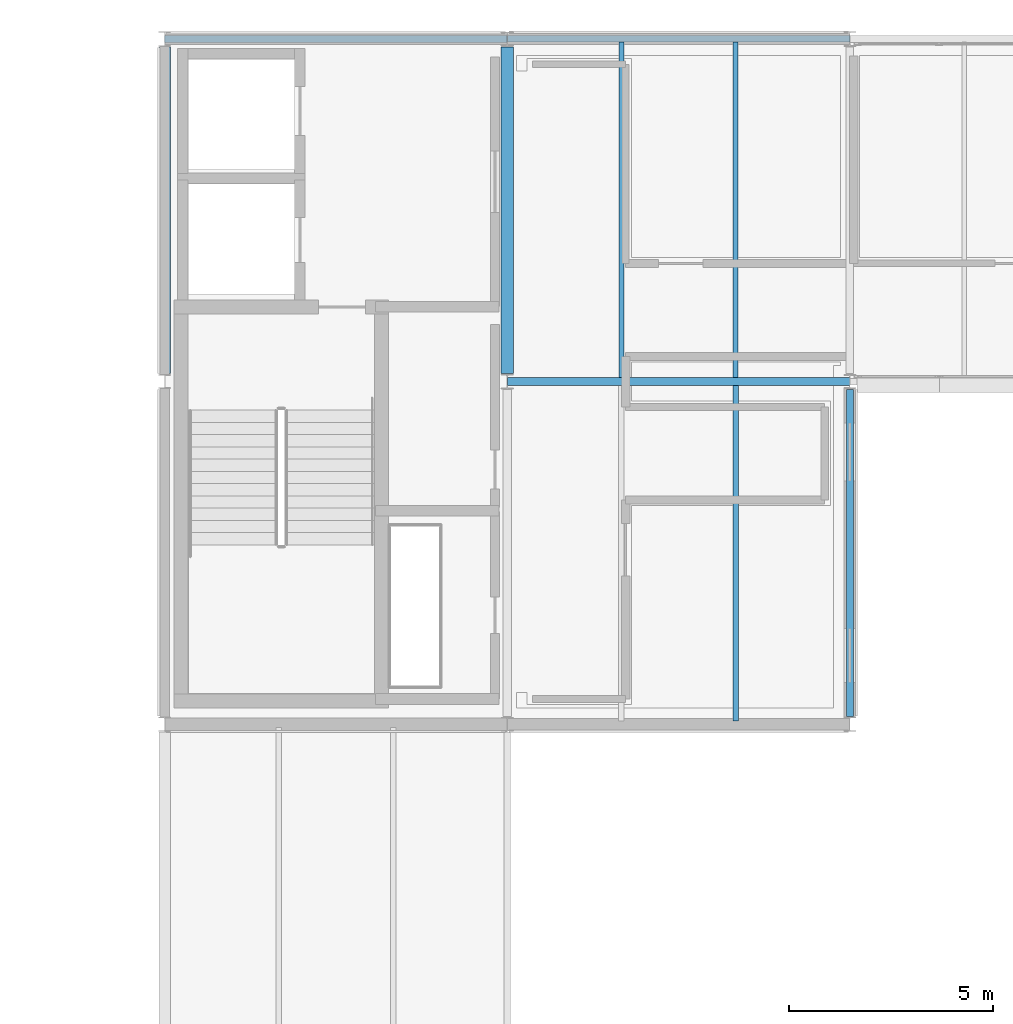
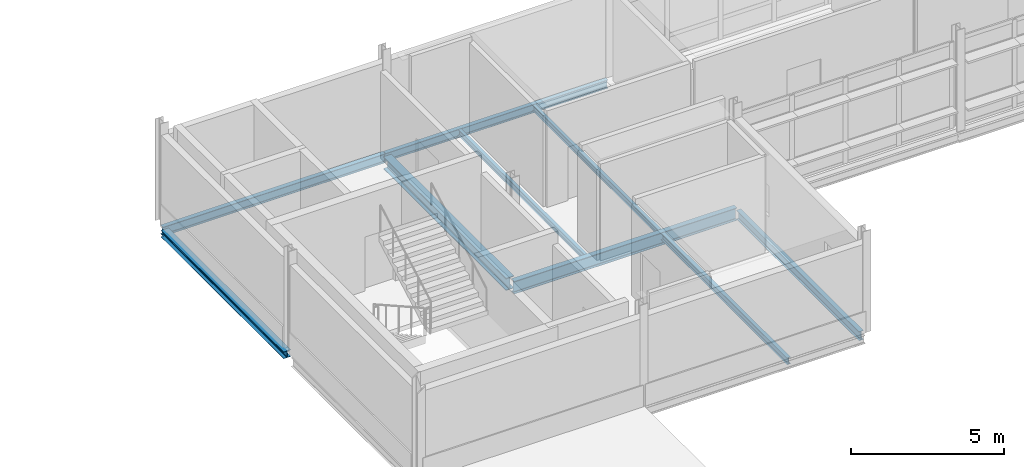
# One storey, part 8 of 66: 9 beams.
"""IFC4 building model written with IfcOpenShell, lengths in metres."""

import ifcopenshell
import ifcopenshell.guid

model = None  # the IFC model being written
_history = None  # IfcOwnerHistory: only IFC2X3 demands one
_inside = {}  # id of a spatial element -> (the spatial element, [elements in it])
_under = {}  # id of a project, library or spatial element -> (it, [spatial elements below it])
_declared = {}  # id of a project -> (the project, [libraries it declares])
_typed = {}  # id of a type object -> (the type object, [elements of that type])
_made_of = {}  # id of a material, layer set ... -> (it, [elements and type objects made of it])


def new_model(schema):
    """Start an empty IFC model of exactly this schema.

    Asked for "IFC4X3", IfcOpenShell would pick the latest addendum, in which some entities
    have other attributes; the version numbers below select the first issue.
    IFC2X3 requires an IfcOwnerHistory on every rooted entity: one is made here for all.
    """
    global model, _history
    if schema == "IFC4X3":
        model = ifcopenshell.file(schema_version=(4, 3, 0, 0))
    else:
        model = ifcopenshell.file(schema=schema)
    _inside.clear()
    _under.clear()
    _declared.clear()
    _typed.clear()
    _made_of.clear()
    _history = None
    if model.schema == "IFC2X3":
        org = make("IfcOrganization", Name="unknown")
        user = make(
            "IfcPersonAndOrganization",
            ThePerson=make("IfcPerson", FamilyName="unknown"),
            TheOrganization=org,
        )
        app = make(
            "IfcApplication",
            ApplicationDeveloper=org,
            Version="unknown",
            ApplicationFullName="unknown",
            ApplicationIdentifier="unknown",
        )
        _history = make(
            "IfcOwnerHistory",
            OwningUser=user,
            OwningApplication=app,
            ChangeAction="ADDED",
            CreationDate=0,
        )
    return model


def make(cls, **values):
    """One entity of the class cls with the attributes given. An attribute that is None is left unset."""
    return model.create_entity(
        cls, **{name: value for name, value in values.items() if value is not None}
    )


def rooted(cls, **values):
    """An entity with a GlobalId (a new one), such as an element, a storey or a relation."""
    return make(cls, GlobalId=ifcopenshell.guid.new(), OwnerHistory=_history, **values)


def si_unit(unit_type, name, prefix=None):
    """IfcSIUnit, for example si_unit("LENGTHUNIT", "METRE", prefix="MILLI")."""
    return make("IfcSIUnit", UnitType=unit_type, Prefix=prefix, Name=name)


def assignment(units):
    """IfcUnitAssignment: the units of a project."""
    return None if units is None else make("IfcUnitAssignment", Units=units)


def point(xyz):
    """IfcCartesianPoint."""
    return None if xyz is None else make("IfcCartesianPoint", Coordinates=xyz)


def direction(xyz):
    """IfcDirection."""
    return None if xyz is None else make("IfcDirection", DirectionRatios=xyz)


def frame(location, z_axis=None, x_axis=None):
    """IfcAxis2Placement3D, a coordinate frame: its origin and axes. An axis left out is left unset."""
    return make(
        "IfcAxis2Placement3D",
        Location=point(location),
        Axis=direction(z_axis),
        RefDirection=direction(x_axis),
    )


def frame_2d(location, x_axis=None):
    """IfcAxis2Placement2D, a coordinate frame in the plane: its origin and x axis."""
    return make(
        "IfcAxis2Placement2D", Location=point(location), RefDirection=direction(x_axis)
    )


def origin():
    """The frame at (0, 0, 0) with its axes left unset."""
    return frame((0.0, 0.0, 0.0))


def origin_2d():
    """The frame at (0, 0) in the plane with its x axis left unset."""
    return frame_2d((0.0, 0.0))


def place(relative_to, where):
    """IfcLocalPlacement: puts the frame where relative to a parent placement (None: the world)."""
    return make(
        "IfcLocalPlacement", PlacementRelTo=relative_to, RelativePlacement=where
    )


def context(
    kind, dimensions, precision=None, world=None, true_north=None, identifier=None
):
    """IfcGeometricRepresentationContext, for example the 3D "Model" context."""
    return make(
        "IfcGeometricRepresentationContext",
        ContextIdentifier=identifier,
        ContextType=kind,
        CoordinateSpaceDimension=dimensions,
        Precision=precision,
        WorldCoordinateSystem=world,
        TrueNorth=true_north,
    )


def subcontext(parent, identifier, kind, view, scale=None):
    """IfcGeometricRepresentationSubContext, for example "Body" below "Model"."""
    return make(
        "IfcGeometricRepresentationSubContext",
        ContextIdentifier=identifier,
        ContextType=kind,
        ParentContext=parent,
        TargetScale=scale,
        TargetView=view,
    )


def project(units=None, contexts=None):
    """IfcProject with its units and contexts."""
    return rooted(
        "IfcProject",
        Name="project",
        RepresentationContexts=contexts,
        UnitsInContext=assignment(units),
    )


def spatial(cls, under=None, at=None, **own):
    """A site, building, storey or space (cls), placed at a placement, below another one or the project."""
    s = rooted(cls, ObjectPlacement=at, **own)
    if under is not None:
        _under.setdefault(under.id(), (under, []))[1].append(s)
    return s


def profile(cls, at=None, kind="AREA", **sizes):
    """A parametric profile (cls). Its sizes go by their IFC names, for example OverallWidth=200.0."""
    return make(cls, ProfileType=kind, Position=at, **sizes)


def i_section(**sizes):
    """IfcIShapeProfileDef."""
    return profile("IfcIShapeProfileDef", **sizes)


def extrude(swept, where, along, depth):
    """IfcExtrudedAreaSolid: the profile swept, set in the frame where, extruded along a direction by depth."""
    return make(
        "IfcExtrudedAreaSolid",
        SweptArea=swept,
        Position=where,
        ExtrudedDirection=direction(along),
        Depth=depth,
    )


def shape(context_of_items, identifier, shape_type, items):
    """IfcShapeRepresentation: the items that make up one representation, for example the "Body"."""
    return make(
        "IfcShapeRepresentation",
        ContextOfItems=context_of_items,
        RepresentationIdentifier=identifier,
        RepresentationType=shape_type,
        Items=items,
    )


def material(Name=None, Category=None):
    """IfcMaterial."""
    return make("IfcMaterial", Name=Name, Category=Category)


def material_profile(
    of_material, cross_section, Name=None, Category=None, Priority=None
):
    """IfcMaterialProfile: a cross section and its material."""
    return make(
        "IfcMaterialProfile",
        Name=Name,
        Material=of_material,
        Profile=cross_section,
        Priority=Priority,
        Category=Category,
    )


def profile_set(profiles, Name=None, composite=None):
    """IfcMaterialProfileSet."""
    return make(
        "IfcMaterialProfileSet",
        Name=Name,
        MaterialProfiles=profiles,
        CompositeProfile=composite,
    )


def made_of(thing, what):
    """Note that an element or type object is made of a material, layer set ...; save() writes the relation."""
    if what is not None:
        _made_of.setdefault(what.id(), (what, []))[1].append(thing)
    return thing


def type_object(cls, material=None, **own):
    """A type object (cls), such as IfcWallType, which elements share."""
    return made_of(rooted(cls, **own), material)


def element(
    cls,
    number,
    at=None,
    inside=None,
    cuts=None,
    type_object=None,
    material=None,
    context=None,
    identifier="Body",
    shape_type=None,
    held_by="IfcProductDefinitionShape",
    body=None,
    shapes=None,
    **own,
):
    """One element of the class cls, such as IfcWall. Its Tag is "e" and its number.

    at: its placement. inside: the storey or other place that contains it. cuts: it is an
    opening in that element (IfcRelVoidsElement). A single representation is given by context,
    identifier, shape_type and body (its items); several are given by shapes. held_by: the class
    of the entity that holds the representations. save() writes the other relations.
    """
    e = rooted(cls, Tag="e%d" % number, ObjectPlacement=at, **own)
    if body is not None:
        shapes = [shape(context, identifier, shape_type, body)]
    if shapes is not None:
        e.Representation = make(held_by, Representations=shapes)
    if inside is not None:
        _inside.setdefault(inside.id(), (inside, []))[1].append(e)
    if cuts is not None:
        rooted(
            "IfcRelVoidsElement", RelatingBuildingElement=cuts, RelatedOpeningElement=e
        )
    if type_object is not None:
        _typed.setdefault(type_object.id(), (type_object, []))[1].append(e)
    return made_of(e, material)


def aggregate(whole, parts):
    """IfcRelAggregates: a whole, such as a stair, and the parts it consists of."""
    return rooted("IfcRelAggregates", RelatingObject=whole, RelatedObjects=parts)


def save(model, path):
    """Write the relations noted so far, then the file.

    IfcRelAggregates (storeys below a building ...), IfcRelContainedInSpatialStructure (elements
    in a storey), IfcRelDefinesByType, IfcRelAssociatesMaterial and IfcRelDeclares: one each for
    every whole, place, type object, material and project.
    """
    for whole, parts in _under.values():
        aggregate(whole, parts)
    for where, things in _inside.values():
        rooted(
            "IfcRelContainedInSpatialStructure",
            RelatedElements=things,
            RelatingStructure=where,
        )
    for kind, things in _typed.values():
        rooted("IfcRelDefinesByType", RelatedObjects=things, RelatingType=kind)
    for what, things in _made_of.values():
        rooted("IfcRelAssociatesMaterial", RelatedObjects=things, RelatingMaterial=what)
    for by, libraries in _declared.values():
        rooted("IfcRelDeclares", RelatingContext=by, RelatedDefinitions=libraries)
    model.write(path)


model = new_model("IFC4")

# Units and contexts
model_context = context("Model", 3, precision=1e-05, world=origin(), true_north=direction((0.0, 1.0)))
body_context = subcontext(model_context, "Body", "Model", "MODEL_VIEW")
ifc_project = project(units=[si_unit("LENGTHUNIT", "METRE"), si_unit("AREAUNIT", "SQUARE_METRE"), si_unit("VOLUMEUNIT", "CUBIC_METRE"), si_unit("PLANEANGLEUNIT", "RADIAN"), si_unit("MASSUNIT", "GRAM", prefix="KILO")], contexts=[model_context])

# Site, building, storey
site_placement = place(None, origin())
site = spatial("IfcSite", under=ifc_project, at=site_placement, CompositionType="ELEMENT")
building_placement = place(site_placement, origin())
building = spatial("IfcBuilding", under=site, at=building_placement, Name="Mersafa Astral City Hall", CompositionType="ELEMENT")
storey_placement = place(building_placement, frame((0.0, 0.0, 22.050048828125)))
storey = spatial("IfcBuildingStorey", under=building, at=storey_placement, Name="L05", CompositionType="ELEMENT", Elevation=22.050048828125)

# Beams
ifc_material = material(Name="Steel S355", Category="steel")
ifc_material_profile_1 = material_profile(ifc_material, i_section(OverallWidth=0.300048828125, OverallDepth=0.489990234375, WebThickness=0.011962890625, FlangeThickness=0.02294921875, FilletRadius=0.027099609375, at=origin_2d()), Name="HEA 500")
ifc_profile_set_1 = profile_set([ifc_material_profile_1], Name="Steel S355")
beam_type_1 = type_object("IfcBeamType", Name="STR-BM-HEA500", PredefinedType="BEAM", material=ifc_profile_set_1)
beam_1_placement = place(storey_placement, frame((50.39990234375, 117.794921875, -0.425048828125), z_axis=(0.0, 1.0, 0.0), x_axis=(-1.0, 0.0, 0.0)))
element("IfcBeam", 1, at=beam_1_placement, inside=storey, type_object=beam_type_1, Name="L05 Primary girder Y 6-14", PredefinedType="BEAM", context=body_context, shape_type="SweptSolid", body=[
    extrude(i_section(OverallWidth=0.300048828125, OverallDepth=0.489990234375, WebThickness=0.011962890625, FlangeThickness=0.02294921875, FilletRadius=0.027099609375, at=origin_2d()), origin(), (0.0, 0.0, 1.0), 8.010009765625),
])
ifc_material_profile_2 = material_profile(ifc_material, i_section(OverallWidth=0.199951171875, OverallDepth=0.5, WebThickness=0.01025390625, FlangeThickness=0.01611328125, FilletRadius=0.02099609375, at=origin_2d()), Name="IPE 500")
ifc_profile_set_2 = profile_set([ifc_material_profile_2], Name="Steel S355")
beam_type_2 = type_object("IfcBeamType", Name="STR-BM-IPE500", PredefinedType="BEAM", material=ifc_profile_set_2)
beam_2_placement = place(storey_placement, frame((50.403076171875, 117.60009765625, -0.429931640625), z_axis=(1.0, 0.0, 0.0), x_axis=(0.0, 1.0, 0.0)))
element("IfcBeam", 2, at=beam_2_placement, inside=storey, type_object=beam_type_2, Name="L05 Primary girder X 6-14", PredefinedType="BEAM", context=body_context, shape_type="SweptSolid", body=[
    extrude(i_section(OverallWidth=0.199951171875, OverallDepth=0.5, WebThickness=0.01025390625, FlangeThickness=0.01611328125, FilletRadius=0.02099609375, at=origin_2d()), origin(), (0.0, 0.0, 1.0), 8.39404296875),
])
ifc_material_profile_3 = material_profile(ifc_material, i_section(OverallWidth=0.1201171875, OverallDepth=0.239990234375, WebThickness=0.006103515625, FlangeThickness=0.009765625, FilletRadius=0.014892578125, at=origin_2d()), Name="IPE 240")
ifc_profile_set_3 = profile_set([ifc_material_profile_3], Name="Steel S355")
beam_type_3 = type_object("IfcBeamType", Name="STR-BM-JOIST-IPE240", PredefinedType="JOIST", material=ifc_profile_set_3)
for number, where, z_axis, x_axis, name in (
    (3, (53.199951171875, 117.695068359375, -0.300048828125), (0.0, 1.0, 0.0), (-1.0, 0.0, 0.0), "L05 Composite secondary floor joist 787"),
    (4, (56.0, 117.695068359375, -0.300048828125), (0.0, 1.0, 0.0), (-1.0, 0.0, 0.0), "L05 Composite secondary floor joist 788"),
):
    element("IfcBeam", number, at=place(storey_placement, frame(where, z_axis=z_axis, x_axis=x_axis)), inside=storey, type_object=beam_type_3, Name=name, PredefinedType="JOIST", context=body_context, shape_type="SweptSolid", body=[
        extrude(i_section(OverallWidth=0.1201171875, OverallDepth=0.239990234375, WebThickness=0.006103515625, FlangeThickness=0.009765625, FilletRadius=0.014892578125, at=origin_2d()), origin(), (0.0, 0.0, 1.0), 8.22998046875),
    ])
ifc_material_profile_4 = material_profile(ifc_material, i_section(OverallWidth=0.135009765625, OverallDepth=0.27001953125, WebThickness=0.006591796875, FlangeThickness=0.01025390625, FilletRadius=0.014892578125, at=origin_2d()), Name="IPE 270")
ifc_profile_set_4 = profile_set([ifc_material_profile_4], Name="Steel S355")
beam_type_4 = type_object("IfcBeamType", Name="STR-BM-JOIST-IPE270", PredefinedType="JOIST", material=ifc_profile_set_4)
beam_3_placement = place(storey_placement, frame((56.0, 109.27490234375, -0.31494140625), z_axis=(0.0, 1.0, 0.0), x_axis=(-1.0, 0.0, 0.0)))
element("IfcBeam", 5, at=beam_3_placement, inside=storey, type_object=beam_type_4, Name="L05 Composite secondary floor joist 786", PredefinedType="JOIST", context=body_context, shape_type="SweptSolid", body=[
    extrude(i_section(OverallWidth=0.135009765625, OverallDepth=0.27001953125, WebThickness=0.006591796875, FlangeThickness=0.01025390625, FilletRadius=0.014892578125, at=origin_2d()), origin(), (0.0, 0.0, 1.0), 8.22998046875),
])
ifc_material_profile_5 = material_profile(ifc_material, i_section(OverallWidth=0.280029296875, OverallDepth=0.27001953125, WebThickness=0.008056640625, FlangeThickness=0.012939453125, FilletRadius=0.02392578125, at=origin_2d()), Name="HEA 280")
ifc_profile_set_5 = profile_set([ifc_material_profile_5], Name="Steel S355")
beam_type_5 = type_object("IfcBeamType", Name="STR-BM-SPANDREL-HEA280", PredefinedType="SPANDREL", material=ifc_profile_set_5)
beam_4_placement = place(storey_placement, frame((42.0, 117.794921875, -0.31494140625), z_axis=(0.0, 1.0, 0.0), x_axis=(-1.0, 0.0, 0.0)))
element("IfcBeam", 6, at=beam_4_placement, inside=storey, type_object=beam_type_5, Name="L05 Primary girder Y 5-14", PredefinedType="SPANDREL", context=body_context, shape_type="SweptSolid", body=[
    extrude(i_section(OverallWidth=0.280029296875, OverallDepth=0.27001953125, WebThickness=0.008056640625, FlangeThickness=0.012939453125, FilletRadius=0.02392578125, at=origin_2d()), origin(), (0.0, 0.0, 1.0), 8.010009765625),
])
ifc_material_profile_6 = material_profile(ifc_material, i_section(OverallWidth=0.159912109375, OverallDepth=0.330078125, WebThickness=0.007568359375, FlangeThickness=0.011474609375, FilletRadius=0.01806640625, at=origin_2d()), Name="IPE 330")
ifc_profile_set_6 = profile_set([ifc_material_profile_6], Name="Steel S355")
beam_type_6 = type_object("IfcBeamType", Name="STR-BM-SPANDREL-IPE330", PredefinedType="SPANDREL", material=ifc_profile_set_6)
beam_5_placement = place(storey_placement, frame((50.403076171875, 126.0, -0.344970703125), z_axis=(1.0, 0.0, 0.0), x_axis=(0.0, 1.0, 0.0)))
element("IfcBeam", 7, at=beam_5_placement, inside=storey, type_object=beam_type_6, Name="L05 Primary girder X 6-15", PredefinedType="SPANDREL", context=body_context, shape_type="SweptSolid", body=[
    extrude(i_section(OverallWidth=0.159912109375, OverallDepth=0.330078125, WebThickness=0.007568359375, FlangeThickness=0.011474609375, FilletRadius=0.01806640625, at=origin_2d()), origin(), (0.0, 0.0, 1.0), 8.39404296875),
])
ifc_material_profile_7 = material_profile(ifc_material, i_section(OverallWidth=0.169921875, OverallDepth=0.360107421875, WebThickness=0.008056640625, FlangeThickness=0.0126953125, FilletRadius=0.01806640625, at=origin_2d()), Name="IPE 360")
ifc_profile_set_7 = profile_set([ifc_material_profile_7], Name="Steel S355")
beam_type_7 = type_object("IfcBeamType", Name="STR-BM-SPANDREL-IPE360", PredefinedType="SPANDREL", material=ifc_profile_set_7)
beam_6_placement = place(storey_placement, frame((42.0029296875, 126.0, -0.360107421875), z_axis=(1.0, 0.0, 0.0), x_axis=(0.0, 1.0, 0.0)))
element("IfcBeam", 8, at=beam_6_placement, inside=storey, type_object=beam_type_7, Name="L05 Primary girder X 5-15", PredefinedType="SPANDREL", context=body_context, shape_type="SweptSolid", body=[
    extrude(i_section(OverallWidth=0.169921875, OverallDepth=0.360107421875, WebThickness=0.008056640625, FlangeThickness=0.0126953125, FilletRadius=0.01806640625, at=origin_2d()), origin(), (0.0, 0.0, 1.0), 8.39404296875),
])
beam_7_placement = place(storey_placement, frame((58.800048828125, 109.39501953125, -0.360107421875), z_axis=(0.0, 1.0, 0.0), x_axis=(-1.0, 0.0, 0.0)))
element("IfcBeam", 9, at=beam_7_placement, inside=storey, type_object=beam_type_7, Name="L05 Primary girder Y 7-13", PredefinedType="SPANDREL", context=body_context, shape_type="SweptSolid", body=[
    extrude(i_section(OverallWidth=0.169921875, OverallDepth=0.360107421875, WebThickness=0.008056640625, FlangeThickness=0.0126953125, FilletRadius=0.01806640625, at=origin_2d()), origin(), (0.0, 0.0, 1.0), 8.010009765625),
])

save(model, "model.ifc")
